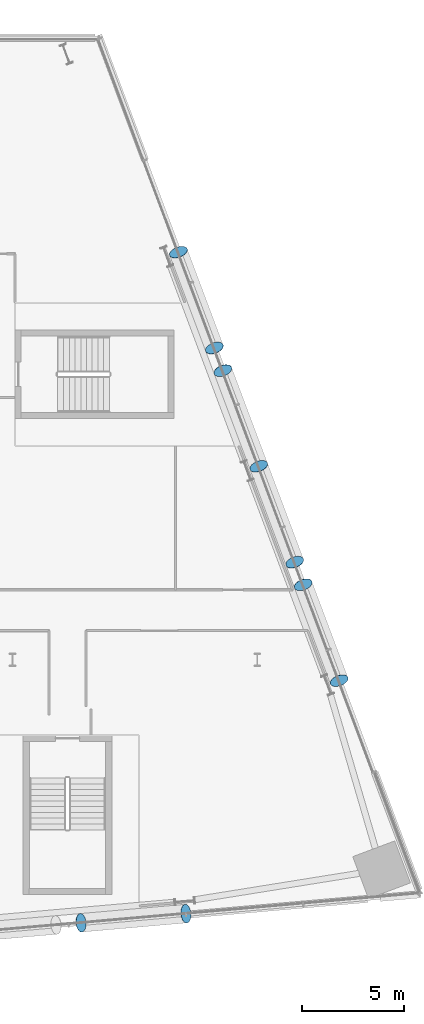
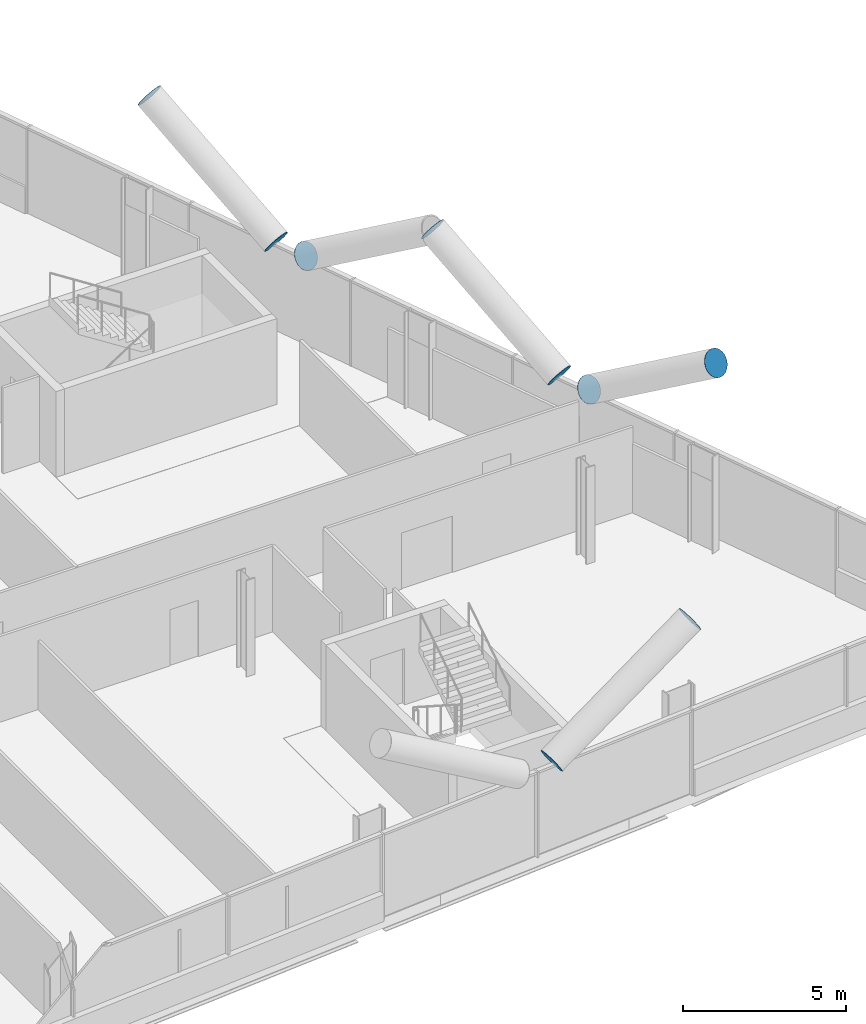
# One storey, part 23 of 27: 9 discrete accessories.
"""IFC4 building model written with IfcOpenShell, lengths in metres."""

from ifc_helpers import new_model, si_unit, direction, frame, origin, origin_2d, place, context, subcontext, project, spatial, circle, extrude, material, material_profile, profile_set, type_object, element, save


model = new_model("IFC4")

# Units and contexts
model_context = context("Model", 3, precision=1e-05, world=origin(), true_north=direction((0.0, 1.0)))
body_context = subcontext(model_context, "Body", "Model", "MODEL_VIEW")
ifc_project = project(units=[si_unit("LENGTHUNIT", "METRE"), si_unit("AREAUNIT", "SQUARE_METRE"), si_unit("VOLUMEUNIT", "CUBIC_METRE"), si_unit("PLANEANGLEUNIT", "RADIAN"), si_unit("MASSUNIT", "GRAM", prefix="KILO")], contexts=[model_context])

# Site, building, storey
site_placement = place(None, origin())
site = spatial("IfcSite", under=ifc_project, at=site_placement, CompositionType="ELEMENT")
building_placement = place(site_placement, origin())
building = spatial("IfcBuilding", under=site, at=building_placement, Name="Wharfspan Tower", CompositionType="ELEMENT")
storey_placement = place(building_placement, frame((0.0, 0.0, 84.699951)))
storey = spatial("IfcBuildingStorey", under=building, at=storey_placement, Name="L18", CompositionType="ELEMENT", Elevation=84.699951)

# Discrete accessories
ifc_material = material(Name="Steel S460NH", Category="steel")
ifc_material_profile = material_profile(ifc_material, circle(Radius=0.457031, at=origin_2d()))
ifc_profile_set = profile_set([ifc_material_profile], Name="Steel S460NH")
discrete_accessory_type = type_object("IfcDiscreteAccessoryType", Name="End plate CHS 914x40", PredefinedType="BRACKET", material=ifc_profile_set)
for number, where, z_axis, x_axis, name in (
    (1, (75.352783, -1.401123, 3.280518), (0.844416, 0.072379, 0.530776), (-0.085402, 0.99635, 0.0), "End plate CHS 914x40"),
    (2, (80.495117, -0.951416, 6.5), (0.844416, 0.072379, 0.530776), (-0.085402, 0.99635, 0.0), "End plate CHS 914x40"),
    (3, (85.835938, 16.280762, 3.2771), (-0.2913, 0.7768, 0.558325), (-0.936328, -0.351123, 0.0), "End plate CHS 914x40"),
    (4, (84.073486, 20.980713, 6.5), (-0.295241, 0.787309, 0.541275), (-0.936333, -0.351125, 0.0), "End plate CHS 914x40"),
    (5, (86.248535, 15.180664, 3.2771), (0.2913, -0.7768, 0.558325), (0.936328, 0.351123, 0.0), "End plate CHS 914x40"),
    (6, (88.010986, 10.480713, 6.5), (0.295241, -0.787309, 0.541275), (0.936333, 0.351125, 0.0), "End plate CHS 914x40"),
    (7, (81.898438, 26.780762, 3.2771), (-0.2913, 0.7768, 0.558325), (-0.936328, -0.351123, 0.0), "End plate CHS 914x40"),
    (8, (80.135986, 31.480713, 6.5), (-0.295241, 0.787309, 0.541275), (-0.936333, -0.351125, 0.0), "End plate CHS 914x40"),
    (9, (82.311035, 25.680664, 3.2771), (0.2913, -0.7768, 0.558325), (0.936328, 0.351123, 0.0), "End plate CHS 914x40"),
):
    element("IfcDiscreteAccessory", number, at=place(storey_placement, frame(where, z_axis=z_axis, x_axis=x_axis)), inside=storey, type_object=discrete_accessory_type, Name=name, PredefinedType="BRACKET", context=body_context, shape_type="SweptSolid", body=[
        extrude(circle(Radius=0.457031, at=origin_2d()), origin(), (0.0, 0.0, 1.0), 0.01001),
    ])

save(model, "model.ifc")
